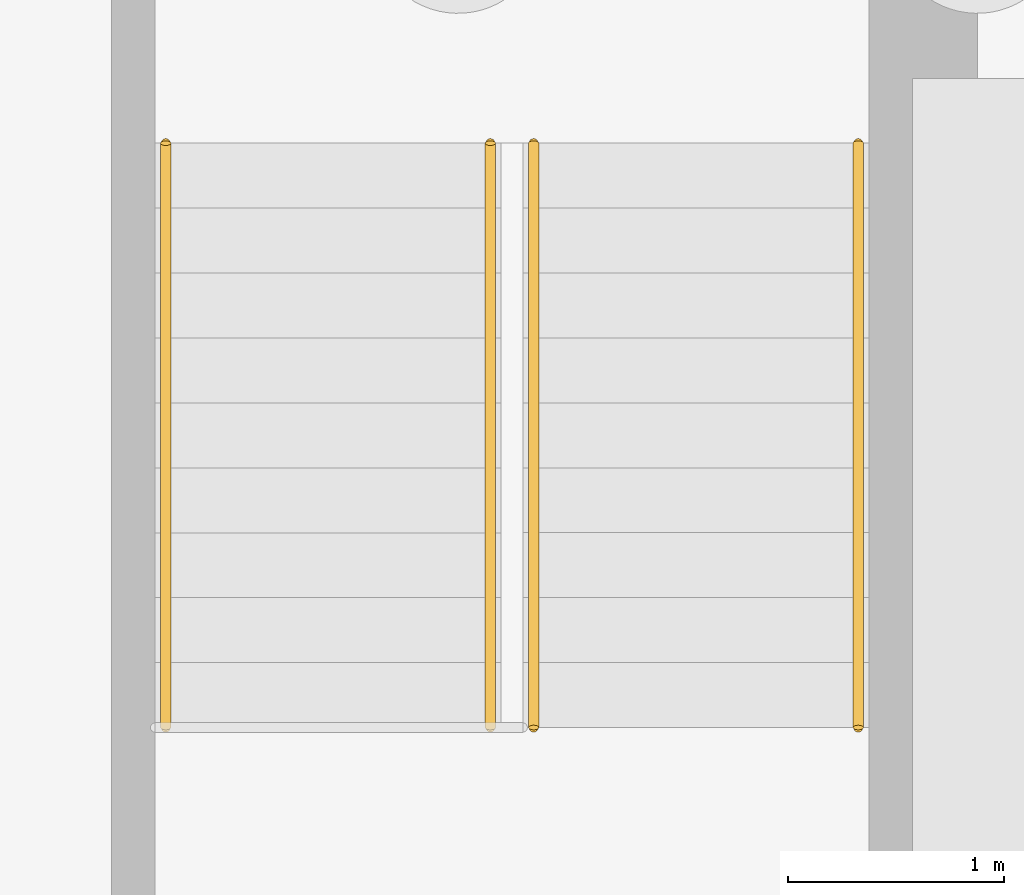
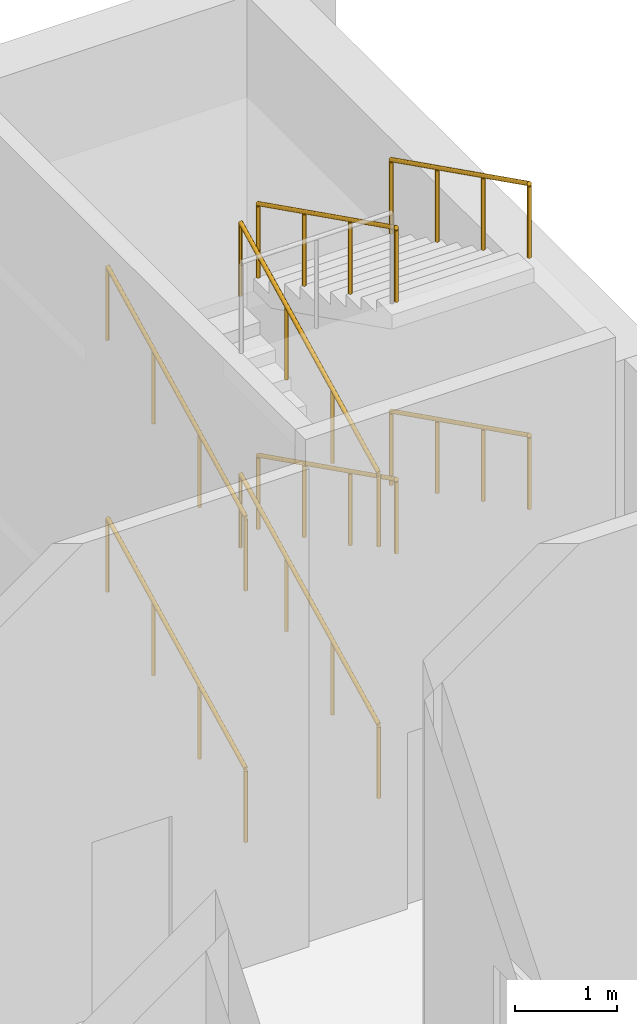
# One storey, part 33 of 34: 8 railings.
"""IFC4 building model written with IfcOpenShell, lengths in metres."""

from ifc_helpers import new_model, si_unit, direction, frame, origin, origin_2d, place, context, subcontext, project, spatial, circle, extrude, material, type_object, element, save


model = new_model("IFC4")

# Units and contexts
model_context = context("Model", 3, precision=1e-05, world=origin(), true_north=direction((0.0, 1.0)))
body_context = subcontext(model_context, "Body", "Model", "MODEL_VIEW")
ifc_project = project(units=[si_unit("LENGTHUNIT", "METRE"), si_unit("AREAUNIT", "SQUARE_METRE"), si_unit("VOLUMEUNIT", "CUBIC_METRE"), si_unit("PLANEANGLEUNIT", "RADIAN"), si_unit("MASSUNIT", "GRAM", prefix="KILO")], contexts=[model_context])

# Site, building, storey
site_placement = place(None, origin())
site = spatial("IfcSite", under=ifc_project, at=site_placement, CompositionType="ELEMENT")
building_placement = place(site_placement, origin())
building = spatial("IfcBuilding", under=site, at=building_placement, Name="Lilac Gate Convention Centre", CompositionType="ELEMENT")
storey_placement = place(building_placement, frame((0.0, 0.0, -6.0)))
storey = spatial("IfcBuildingStorey", under=building, at=storey_placement, Name="B1", CompositionType="ELEMENT", Elevation=-6.0)

# Railings
ifc_material = material(Name="Stainless steel 304", Category="steel")
railing_type = type_object("IfcRailingType", Name="Stair handrail", PredefinedType="HANDRAIL", material=ifc_material)
for number, where, name in (
    (1, (86.25, 239.89990234375, 0.14990234375), "Handrail BN B1 flight 1"),
    (2, (87.75, 239.89990234375, 0.14990234375), "Handrail BN B1 flight 1"),
):
    element("IfcRailing", number, at=place(storey_placement, frame(where)), inside=storey, type_object=railing_type, Name=name, PredefinedType="HANDRAIL", context=body_context, shape_type="SweptSolid", body=[
        extrude(circle(Radius=0.02392578125, at=origin_2d()), frame((0.0, 0.0, 0.8759765625), z_axis=(0.0, 0.894427191, 0.4472135955), x_axis=(-1.0, 0.0, 0.0)), (0.0, 0.0, 1.0), 3.018798828125),
        extrude(circle(Radius=0.02099609375, at=origin_2d()), origin(), (0.0, 0.0, 1.0), 0.851806640625),
        extrude(circle(Radius=0.02099609375, at=origin_2d()), frame((0.0, 0.900146484375, 0.449951171875)), (0.0, 0.0, 1.0), 0.851806640625),
        extrude(circle(Radius=0.02099609375, at=origin_2d()), frame((0.0, 1.800048828125, 0.900146484375)), (0.0, 0.0, 1.0), 0.851806640625),
        extrude(circle(Radius=0.02099609375, at=origin_2d()), frame((0.0, 2.7001953125, 1.35009765625)), (0.0, 0.0, 1.0), 0.851806640625),
    ])
for number, where, name in (
    (3, (89.449951171875, 242.60009765625, 1.64990234375), "Handrail BN B1 flight 2"),
    (4, (87.949951171875, 242.60009765625, 1.64990234375), "Handrail BN B1 flight 2"),
):
    element("IfcRailing", number, at=place(storey_placement, frame(where)), inside=storey, type_object=railing_type, Name=name, PredefinedType="HANDRAIL", context=body_context, shape_type="SweptSolid", body=[
        extrude(circle(Radius=0.02392578125, at=origin_2d()), frame((0.0, 0.0, 0.8759765625), z_axis=(0.0, -0.894427191, 0.4472135955), x_axis=(1.0, 0.0, 0.0)), (0.0, 0.0, 1.0), 3.018798828125),
        extrude(circle(Radius=0.02099609375, at=origin_2d()), origin(), (0.0, 0.0, 1.0), 0.851806640625),
        extrude(circle(Radius=0.02099609375, at=origin_2d()), frame((0.0, -0.900146484375, 0.449951171875)), (0.0, 0.0, 1.0), 0.851806640625),
        extrude(circle(Radius=0.02099609375, at=origin_2d()), frame((0.0, -1.800048828125, 0.900146484375)), (0.0, 0.0, 1.0), 0.851806640625),
        extrude(circle(Radius=0.02099609375, at=origin_2d()), frame((0.0, -2.7001953125, 1.35009765625)), (0.0, 0.0, 1.0), 0.851806640625),
    ])
for number, where, name in (
    (5, (86.25, 239.89990234375, 3.14990234375), "Handrail BN B1 flight 3"),
    (6, (87.75, 239.89990234375, 3.14990234375), "Handrail BN B1 flight 3"),
):
    element("IfcRailing", number, at=place(storey_placement, frame(where)), inside=storey, type_object=railing_type, Name=name, PredefinedType="HANDRAIL", context=body_context, shape_type="SweptSolid", body=[
        extrude(circle(Radius=0.02392578125, at=origin_2d()), frame((0.0, 0.0, 0.8759765625), z_axis=(0.0, 0.894427191, 0.4472135955), x_axis=(-1.0, 0.0, 0.0)), (0.0, 0.0, 1.0), 3.018798828125),
        extrude(circle(Radius=0.02099609375, at=origin_2d()), origin(), (0.0, 0.0, 1.0), 0.851806640625),
        extrude(circle(Radius=0.02099609375, at=origin_2d()), frame((0.0, 0.900146484375, 0.449951171875)), (0.0, 0.0, 1.0), 0.851806640625),
        extrude(circle(Radius=0.02099609375, at=origin_2d()), frame((0.0, 1.800048828125, 0.900146484375)), (0.0, 0.0, 1.0), 0.851806640625),
        extrude(circle(Radius=0.02099609375, at=origin_2d()), frame((0.0, 2.7001953125, 1.35009765625)), (0.0, 0.0, 1.0), 0.851806640625),
    ])
for number, where, name in (
    (7, (89.449951171875, 242.60009765625, 4.64990234375), "Handrail BN B1 flight 4"),
    (8, (87.949951171875, 242.60009765625, 4.64990234375), "Handrail BN B1 flight 4"),
):
    element("IfcRailing", number, at=place(storey_placement, frame(where)), inside=storey, type_object=railing_type, Name=name, PredefinedType="HANDRAIL", context=body_context, shape_type="SweptSolid", body=[
        extrude(circle(Radius=0.02392578125, at=origin_2d()), frame((0.0, 0.0, 0.8759765625), z_axis=(0.0, -0.894427191, 0.4472135955), x_axis=(1.0, 0.0, 0.0)), (0.0, 0.0, 1.0), 3.018798828125),
        extrude(circle(Radius=0.02099609375, at=origin_2d()), origin(), (0.0, 0.0, 1.0), 0.851806640625),
        extrude(circle(Radius=0.02099609375, at=origin_2d()), frame((0.0, -0.900146484375, 0.449951171875)), (0.0, 0.0, 1.0), 0.851806640625),
        extrude(circle(Radius=0.02099609375, at=origin_2d()), frame((0.0, -1.800048828125, 0.900146484375)), (0.0, 0.0, 1.0), 0.851806640625),
        extrude(circle(Radius=0.02099609375, at=origin_2d()), frame((0.0, -2.7001953125, 1.35009765625)), (0.0, 0.0, 1.0), 0.851806640625),
    ])

save(model, "model.ifc")
